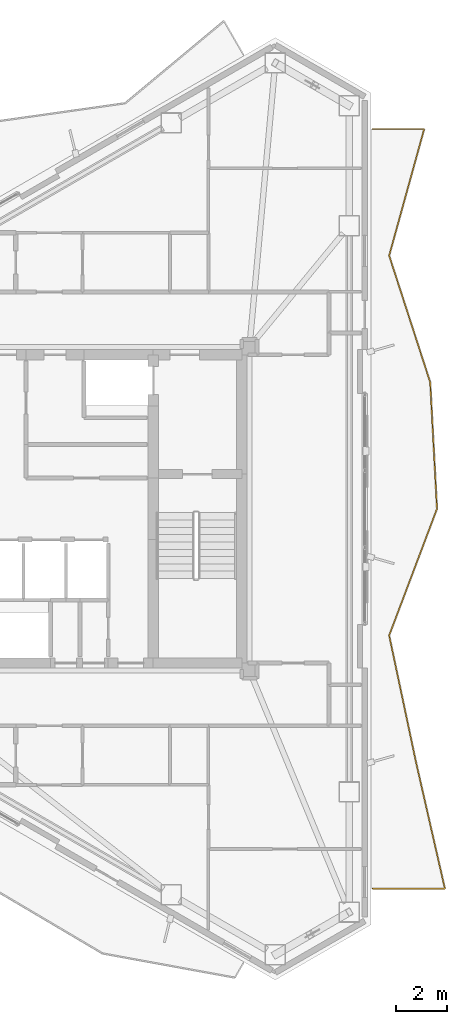
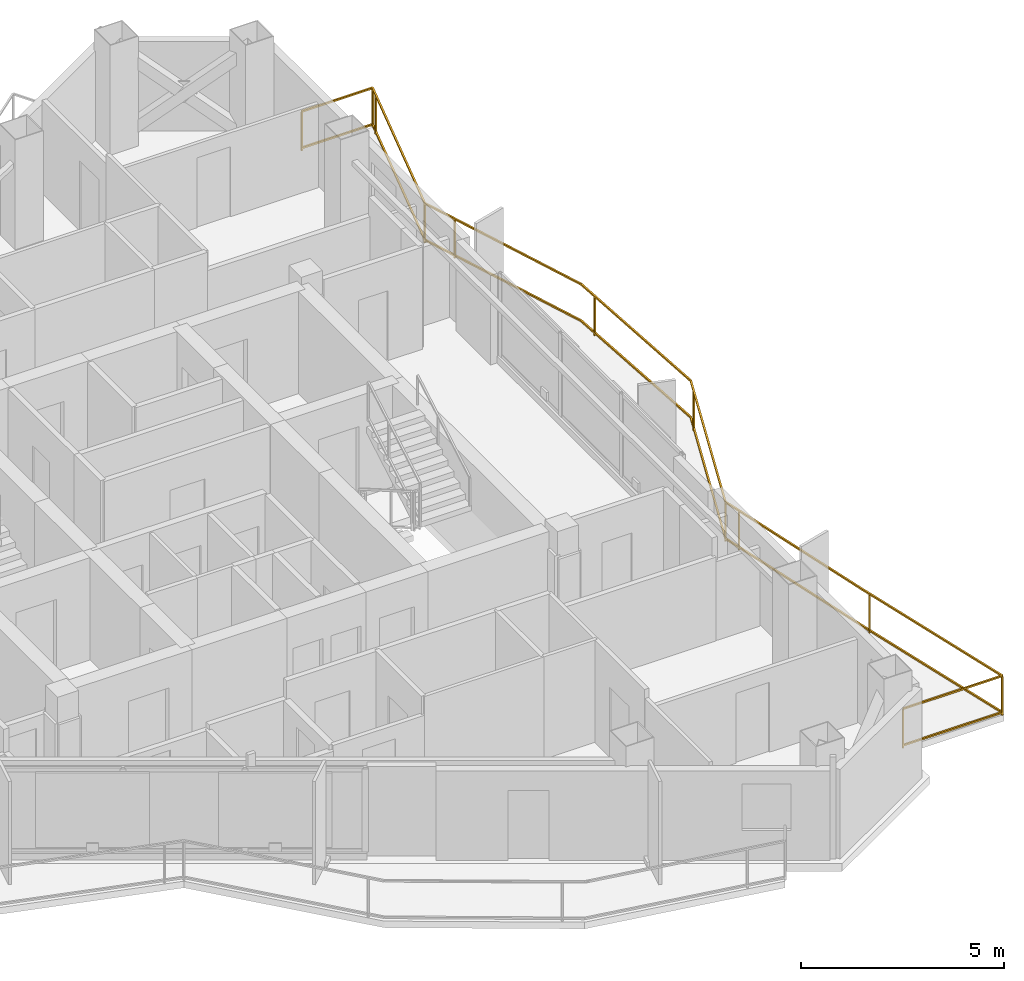
# One storey, part 22 of 22: 1 railing.
"""IFC4 building model written with IfcOpenShell, lengths in metres."""

import ifcopenshell
import ifcopenshell.guid

model = None  # the IFC model being written
_history = None  # IfcOwnerHistory: only IFC2X3 demands one
_inside = {}  # id of a spatial element -> (the spatial element, [elements in it])
_under = {}  # id of a project, library or spatial element -> (it, [spatial elements below it])
_declared = {}  # id of a project -> (the project, [libraries it declares])
_typed = {}  # id of a type object -> (the type object, [elements of that type])
_made_of = {}  # id of a material, layer set ... -> (it, [elements and type objects made of it])


def new_model(schema):
    """Start an empty IFC model of exactly this schema.

    Asked for "IFC4X3", IfcOpenShell would pick the latest addendum, in which some entities
    have other attributes; the version numbers below select the first issue.
    IFC2X3 requires an IfcOwnerHistory on every rooted entity: one is made here for all.
    """
    global model, _history
    if schema == "IFC4X3":
        model = ifcopenshell.file(schema_version=(4, 3, 0, 0))
    else:
        model = ifcopenshell.file(schema=schema)
    _inside.clear()
    _under.clear()
    _declared.clear()
    _typed.clear()
    _made_of.clear()
    _history = None
    if model.schema == "IFC2X3":
        org = make("IfcOrganization", Name="unknown")
        user = make(
            "IfcPersonAndOrganization",
            ThePerson=make("IfcPerson", FamilyName="unknown"),
            TheOrganization=org,
        )
        app = make(
            "IfcApplication",
            ApplicationDeveloper=org,
            Version="unknown",
            ApplicationFullName="unknown",
            ApplicationIdentifier="unknown",
        )
        _history = make(
            "IfcOwnerHistory",
            OwningUser=user,
            OwningApplication=app,
            ChangeAction="ADDED",
            CreationDate=0,
        )
    return model


def make(cls, **values):
    """One entity of the class cls with the attributes given. An attribute that is None is left unset."""
    return model.create_entity(
        cls, **{name: value for name, value in values.items() if value is not None}
    )


def rooted(cls, **values):
    """An entity with a GlobalId (a new one), such as an element, a storey or a relation."""
    return make(cls, GlobalId=ifcopenshell.guid.new(), OwnerHistory=_history, **values)


def si_unit(unit_type, name, prefix=None):
    """IfcSIUnit, for example si_unit("LENGTHUNIT", "METRE", prefix="MILLI")."""
    return make("IfcSIUnit", UnitType=unit_type, Prefix=prefix, Name=name)


def assignment(units):
    """IfcUnitAssignment: the units of a project."""
    return None if units is None else make("IfcUnitAssignment", Units=units)


def point(xyz):
    """IfcCartesianPoint."""
    return None if xyz is None else make("IfcCartesianPoint", Coordinates=xyz)


def direction(xyz):
    """IfcDirection."""
    return None if xyz is None else make("IfcDirection", DirectionRatios=xyz)


def frame(location, z_axis=None, x_axis=None):
    """IfcAxis2Placement3D, a coordinate frame: its origin and axes. An axis left out is left unset."""
    return make(
        "IfcAxis2Placement3D",
        Location=point(location),
        Axis=direction(z_axis),
        RefDirection=direction(x_axis),
    )


def frame_2d(location, x_axis=None):
    """IfcAxis2Placement2D, a coordinate frame in the plane: its origin and x axis."""
    return make(
        "IfcAxis2Placement2D", Location=point(location), RefDirection=direction(x_axis)
    )


def origin():
    """The frame at (0, 0, 0) with its axes left unset."""
    return frame((0.0, 0.0, 0.0))


def origin_2d():
    """The frame at (0, 0) in the plane with its x axis left unset."""
    return frame_2d((0.0, 0.0))


def place(relative_to, where):
    """IfcLocalPlacement: puts the frame where relative to a parent placement (None: the world)."""
    return make(
        "IfcLocalPlacement", PlacementRelTo=relative_to, RelativePlacement=where
    )


def context(
    kind, dimensions, precision=None, world=None, true_north=None, identifier=None
):
    """IfcGeometricRepresentationContext, for example the 3D "Model" context."""
    return make(
        "IfcGeometricRepresentationContext",
        ContextIdentifier=identifier,
        ContextType=kind,
        CoordinateSpaceDimension=dimensions,
        Precision=precision,
        WorldCoordinateSystem=world,
        TrueNorth=true_north,
    )


def subcontext(parent, identifier, kind, view, scale=None):
    """IfcGeometricRepresentationSubContext, for example "Body" below "Model"."""
    return make(
        "IfcGeometricRepresentationSubContext",
        ContextIdentifier=identifier,
        ContextType=kind,
        ParentContext=parent,
        TargetScale=scale,
        TargetView=view,
    )


def project(units=None, contexts=None):
    """IfcProject with its units and contexts."""
    return rooted(
        "IfcProject",
        Name="project",
        RepresentationContexts=contexts,
        UnitsInContext=assignment(units),
    )


def spatial(cls, under=None, at=None, **own):
    """A site, building, storey or space (cls), placed at a placement, below another one or the project."""
    s = rooted(cls, ObjectPlacement=at, **own)
    if under is not None:
        _under.setdefault(under.id(), (under, []))[1].append(s)
    return s


def profile(cls, at=None, kind="AREA", **sizes):
    """A parametric profile (cls). Its sizes go by their IFC names, for example OverallWidth=200.0."""
    return make(cls, ProfileType=kind, Position=at, **sizes)


def rectangle(**sizes):
    """IfcRectangleProfileDef."""
    return profile("IfcRectangleProfileDef", **sizes)


def extrude(swept, where, along, depth):
    """IfcExtrudedAreaSolid: the profile swept, set in the frame where, extruded along a direction by depth."""
    return make(
        "IfcExtrudedAreaSolid",
        SweptArea=swept,
        Position=where,
        ExtrudedDirection=direction(along),
        Depth=depth,
    )


def shape(context_of_items, identifier, shape_type, items):
    """IfcShapeRepresentation: the items that make up one representation, for example the "Body"."""
    return make(
        "IfcShapeRepresentation",
        ContextOfItems=context_of_items,
        RepresentationIdentifier=identifier,
        RepresentationType=shape_type,
        Items=items,
    )


def material(Name=None, Category=None):
    """IfcMaterial."""
    return make("IfcMaterial", Name=Name, Category=Category)


def made_of(thing, what):
    """Note that an element or type object is made of a material, layer set ...; save() writes the relation."""
    if what is not None:
        _made_of.setdefault(what.id(), (what, []))[1].append(thing)
    return thing


def type_object(cls, material=None, **own):
    """A type object (cls), such as IfcWallType, which elements share."""
    return made_of(rooted(cls, **own), material)


def element(
    cls,
    number,
    at=None,
    inside=None,
    cuts=None,
    type_object=None,
    material=None,
    context=None,
    identifier="Body",
    shape_type=None,
    held_by="IfcProductDefinitionShape",
    body=None,
    shapes=None,
    **own,
):
    """One element of the class cls, such as IfcWall. Its Tag is "e" and its number.

    at: its placement. inside: the storey or other place that contains it. cuts: it is an
    opening in that element (IfcRelVoidsElement). A single representation is given by context,
    identifier, shape_type and body (its items); several are given by shapes. held_by: the class
    of the entity that holds the representations. save() writes the other relations.
    """
    e = rooted(cls, Tag="e%d" % number, ObjectPlacement=at, **own)
    if body is not None:
        shapes = [shape(context, identifier, shape_type, body)]
    if shapes is not None:
        e.Representation = make(held_by, Representations=shapes)
    if inside is not None:
        _inside.setdefault(inside.id(), (inside, []))[1].append(e)
    if cuts is not None:
        rooted(
            "IfcRelVoidsElement", RelatingBuildingElement=cuts, RelatedOpeningElement=e
        )
    if type_object is not None:
        _typed.setdefault(type_object.id(), (type_object, []))[1].append(e)
    return made_of(e, material)


def aggregate(whole, parts):
    """IfcRelAggregates: a whole, such as a stair, and the parts it consists of."""
    return rooted("IfcRelAggregates", RelatingObject=whole, RelatedObjects=parts)


def save(model, path):
    """Write the relations noted so far, then the file.

    IfcRelAggregates (storeys below a building ...), IfcRelContainedInSpatialStructure (elements
    in a storey), IfcRelDefinesByType, IfcRelAssociatesMaterial and IfcRelDeclares: one each for
    every whole, place, type object, material and project.
    """
    for whole, parts in _under.values():
        aggregate(whole, parts)
    for where, things in _inside.values():
        rooted(
            "IfcRelContainedInSpatialStructure",
            RelatedElements=things,
            RelatingStructure=where,
        )
    for kind, things in _typed.values():
        rooted("IfcRelDefinesByType", RelatedObjects=things, RelatingType=kind)
    for what, things in _made_of.values():
        rooted("IfcRelAssociatesMaterial", RelatedObjects=things, RelatingMaterial=what)
    for by, libraries in _declared.values():
        rooted("IfcRelDeclares", RelatingContext=by, RelatedDefinitions=libraries)
    model.write(path)


model = new_model("IFC4")

# Units and contexts
model_context = context("Model", 3, precision=1e-05, world=origin(), true_north=direction((0.0, 1.0)))
body_context = subcontext(model_context, "Body", "Model", "MODEL_VIEW")
ifc_project = project(units=[si_unit("LENGTHUNIT", "METRE"), si_unit("AREAUNIT", "SQUARE_METRE"), si_unit("VOLUMEUNIT", "CUBIC_METRE"), si_unit("PLANEANGLEUNIT", "RADIAN"), si_unit("MASSUNIT", "GRAM", prefix="KILO")], contexts=[model_context])

# Site, building, storey
site_placement = place(None, origin())
site = spatial("IfcSite", under=ifc_project, at=site_placement, CompositionType="ELEMENT")
building_placement = place(site_placement, origin())
building = spatial("IfcBuilding", under=site, at=building_placement, Name="Mersakhor Tower and Convention Hall", CompositionType="ELEMENT")
storey_placement = place(building_placement, frame((0.0, 0.0, 205.199951171875)))
storey = spatial("IfcBuildingStorey", under=building, at=storey_placement, Name="L57", CompositionType="ELEMENT", Elevation=205.199951171875)

# Railing
ifc_material = material(Name="Powder-coated galvanised steel and laminated glass balustrade", Category="steel")
railing_type = type_object("IfcRailingType", Name="RL-BAL-1200", PredefinedType="BALUSTRADE", material=ifc_material)
railing_placement = place(storey_placement, frame((40.888427734375, 11.957275390625, 0.0)))
element("IfcRailing", 1, at=railing_placement, inside=storey, type_object=railing_type, Name="L57 Sinusoidal Balcony Balustrade F2", PredefinedType="BALUSTRADE", context=body_context, shape_type="SweptSolid", body=[
    extrude(rectangle(XDim=0.048095703125, YDim=0.048095703125, at=origin_2d()), frame((0.0, 0.0, 1.17578125), z_axis=(1.0, 0.0, 0.0), x_axis=(0.0, 1.0, 0.0)), (0.0, 0.0, 1.0), 2.820068359375),
    extrude(rectangle(XDim=0.048095703125, YDim=0.048095703125, at=origin_2d()), frame((0.0, 0.0, 0.080078125), z_axis=(1.0, 0.0, 0.0), x_axis=(0.0, 1.0, 0.0)), (0.0, 0.0, 1.0), 2.820068359375),
    extrude(rectangle(XDim=0.048095703125, YDim=0.048095703125, at=origin_2d()), frame((2.820068359375, 0.0, 1.17578125), z_axis=(-0.222620333353, 0.974905219587, 0.0), x_axis=(-0.974905219587, -0.222620333353, 0.0)), (0.0, 0.0, 1.0), 5.057861328125),
    extrude(rectangle(XDim=0.048095703125, YDim=0.048095703125, at=origin_2d()), frame((2.820068359375, 0.0, 0.080078125), z_axis=(-0.222620333353, 0.974905219587, 0.0), x_axis=(-0.974905219587, -0.222620333353, 0.0)), (0.0, 0.0, 1.0), 5.057861328125),
    extrude(rectangle(XDim=0.048095703125, YDim=0.048095703125, at=origin_2d()), frame((1.694091796875, 4.930908203125, 1.17578125), z_axis=(-0.207169896502, 0.978304980046, 0.0), x_axis=(-0.978304980046, -0.207169896502, 0.0)), (0.0, 0.0, 1.0), 5.040283203125),
    extrude(rectangle(XDim=0.048095703125, YDim=0.048095703125, at=origin_2d()), frame((1.694091796875, 4.930908203125, 0.080078125), z_axis=(-0.207169896502, 0.978304980046, 0.0), x_axis=(-0.978304980046, -0.207169896502, 0.0)), (0.0, 0.0, 1.0), 5.040283203125),
    extrude(rectangle(XDim=0.048095703125, YDim=0.048095703125, at=origin_2d()), frame((0.64990234375, 9.86181640625, 1.17578125), z_axis=(0.353320400132, 0.935502375652, 0.0), x_axis=(-0.935502375652, 0.353320400132, 0.0)), (0.0, 0.0, 1.0), 5.270751953125),
    extrude(rectangle(XDim=0.048095703125, YDim=0.048095703125, at=origin_2d()), frame((0.64990234375, 9.86181640625, 0.080078125), z_axis=(0.353320400132, 0.935502375652, 0.0), x_axis=(-0.935502375652, 0.353320400132, 0.0)), (0.0, 0.0, 1.0), 5.270751953125),
    extrude(rectangle(XDim=0.048095703125, YDim=0.048095703125, at=origin_2d()), frame((2.51220703125, 14.792724609375, 1.17578125), z_axis=(-0.053643499713, 0.998560150887, 0.0), x_axis=(-0.998560150887, -0.053643499713, 0.0)), (0.0, 0.0, 1.0), 4.93798828125),
    extrude(rectangle(XDim=0.048095703125, YDim=0.048095703125, at=origin_2d()), frame((2.51220703125, 14.792724609375, 0.080078125), z_axis=(-0.053643499713, 0.998560150887, 0.0), x_axis=(-0.998560150887, -0.053643499713, 0.0)), (0.0, 0.0, 1.0), 4.93798828125),
    extrude(rectangle(XDim=0.048095703125, YDim=0.048095703125, at=origin_2d()), frame((2.247314453125, 19.7236328125, 1.17578125), z_axis=(-0.308190219757, 0.951324754459, 0.0), x_axis=(-0.951324754459, -0.308190219757, 0.0)), (0.0, 0.0, 1.0), 5.18310546875),
    extrude(rectangle(XDim=0.048095703125, YDim=0.048095703125, at=origin_2d()), frame((2.247314453125, 19.7236328125, 0.080078125), z_axis=(-0.308190219757, 0.951324754459, 0.0), x_axis=(-0.951324754459, -0.308190219757, 0.0)), (0.0, 0.0, 1.0), 5.18310546875),
    extrude(rectangle(XDim=0.048095703125, YDim=0.048095703125, at=origin_2d()), frame((0.64990234375, 24.654541015625, 1.17578125), z_axis=(0.26647947117, 0.963840594416, 0.0), x_axis=(-0.963840594416, 0.26647947117, 0.0)), (0.0, 0.0, 1.0), 5.115966796875),
    extrude(rectangle(XDim=0.048095703125, YDim=0.048095703125, at=origin_2d()), frame((0.64990234375, 24.654541015625, 0.080078125), z_axis=(0.26647947117, 0.963840594416, 0.0), x_axis=(-0.963840594416, 0.26647947117, 0.0)), (0.0, 0.0, 1.0), 5.115966796875),
    extrude(rectangle(XDim=0.048095703125, YDim=0.048095703125, at=origin_2d()), frame((2.01318359375, 29.58544921875, 1.17578125), z_axis=(-1.0, 0.0, 0.0), x_axis=(0.0, -1.0, 0.0)), (0.0, 0.0, 1.0), 2.01318359375),
    extrude(rectangle(XDim=0.048095703125, YDim=0.048095703125, at=origin_2d()), frame((2.01318359375, 29.58544921875, 0.080078125), z_axis=(-1.0, 0.0, 0.0), x_axis=(0.0, -1.0, 0.0)), (0.0, 0.0, 1.0), 2.01318359375),
    extrude(rectangle(XDim=0.0419921875, YDim=0.0419921875, at=origin_2d()), origin(), (0.0, 0.0, 1.0), 1.15185546875),
    extrude(rectangle(XDim=0.0419921875, YDim=0.0419921875, at=origin_2d()), frame((2.820068359375, 0.0, 0.0)), (0.0, 0.0, 1.0), 1.15185546875),
    extrude(rectangle(XDim=0.0419921875, YDim=0.0419921875, at=origin_2d()), frame((1.75146484375, 4.679443359375, 0.0)), (0.0, 0.0, 1.0), 1.15185546875),
    extrude(rectangle(XDim=0.0419921875, YDim=0.0419921875, at=origin_2d()), frame((0.753173828125, 9.37451171875, 0.0)), (0.0, 0.0, 1.0), 1.15185546875),
    extrude(rectangle(XDim=0.0419921875, YDim=0.0419921875, at=origin_2d()), frame((0.64990234375, 9.86181640625, 0.0)), (0.0, 0.0, 1.0), 1.15185546875),
    extrude(rectangle(XDim=0.0419921875, YDim=0.0419921875, at=origin_2d()), frame((2.345947265625, 14.352294921875, 0.0)), (0.0, 0.0, 1.0), 1.15185546875),
    extrude(rectangle(XDim=0.0419921875, YDim=0.0419921875, at=origin_2d()), frame((2.280029296875, 19.11572265625, 0.0)), (0.0, 0.0, 1.0), 1.15185546875),
    extrude(rectangle(XDim=0.0419921875, YDim=0.0419921875, at=origin_2d()), frame((0.95556640625, 23.710693359375, 0.0)), (0.0, 0.0, 1.0), 1.15185546875),
    extrude(rectangle(XDim=0.0419921875, YDim=0.0419921875, at=origin_2d()), frame((0.64990234375, 24.654541015625, 0.0)), (0.0, 0.0, 1.0), 1.15185546875),
    extrude(rectangle(XDim=0.0419921875, YDim=0.0419921875, at=origin_2d()), frame((1.928955078125, 29.281005859375, 0.0)), (0.0, 0.0, 1.0), 1.15185546875),
    extrude(rectangle(XDim=0.0419921875, YDim=0.0419921875, at=origin_2d()), frame((2.01318359375, 29.58544921875, 0.0)), (0.0, 0.0, 1.0), 1.15185546875),
    extrude(rectangle(XDim=0.0419921875, YDim=0.0419921875, at=origin_2d()), frame((0.0, 29.58544921875, 0.0)), (0.0, 0.0, 1.0), 1.15185546875),
])

save(model, "model.ifc")
